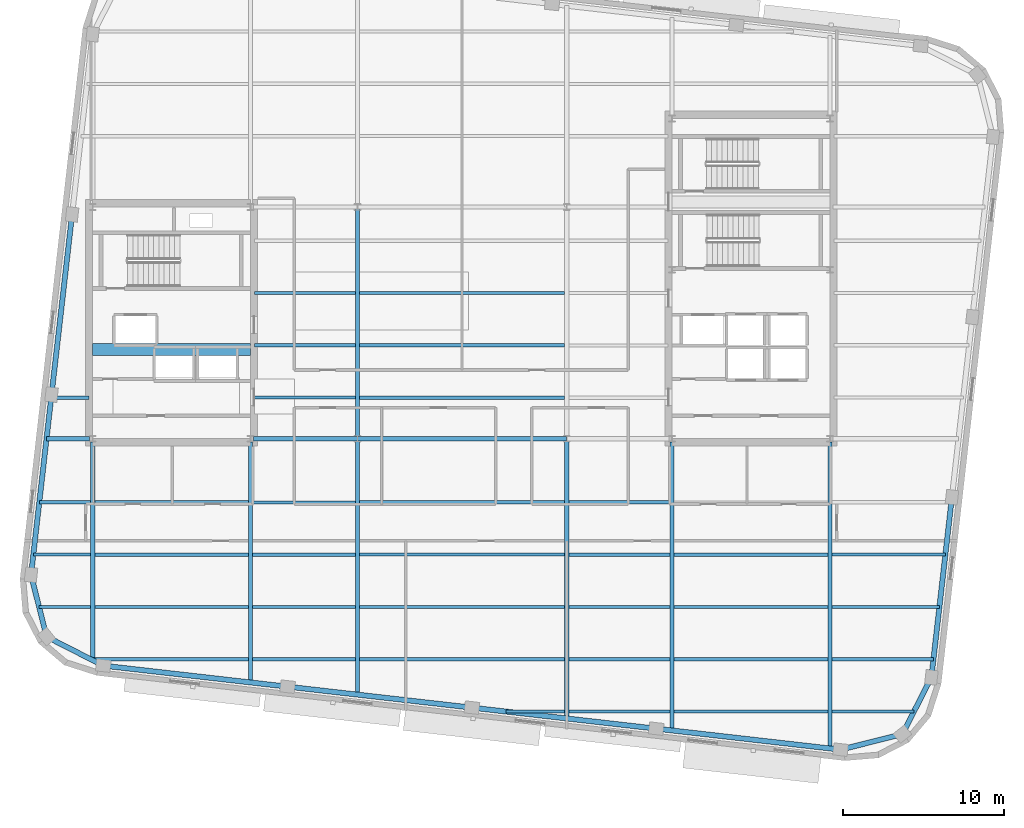
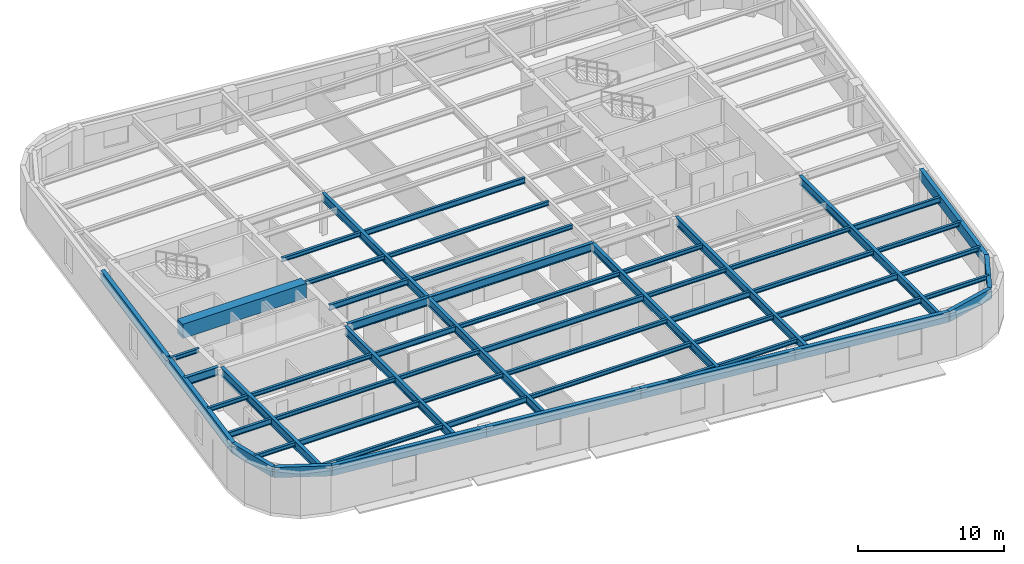
# One storey, part 3 of 13: 58 beams.
"""IFC4 building model written with IfcOpenShell, lengths in metres."""

from ifc_helpers import new_model, si_unit, direction, frame, origin, origin_2d, place, context, subcontext, project, spatial, rectangle, hollow_rectangle, i_section, extrude, material, material_profile, profile_set, type_object, element, save


model = new_model("IFC4")

# Units and contexts
model_context = context("Model", 3, precision=1e-05, world=origin(), true_north=direction((0.0, 1.0)))
body_context = subcontext(model_context, "Body", "Model", "MODEL_VIEW")
ifc_project = project(units=[si_unit("LENGTHUNIT", "METRE"), si_unit("AREAUNIT", "SQUARE_METRE"), si_unit("VOLUMEUNIT", "CUBIC_METRE"), si_unit("PLANEANGLEUNIT", "RADIAN"), si_unit("MASSUNIT", "GRAM", prefix="KILO")], contexts=[model_context])

# Site, building, storey
site_placement = place(None, origin())
site = spatial("IfcSite", under=ifc_project, at=site_placement, CompositionType="ELEMENT")
building_placement = place(site_placement, origin())
building = spatial("IfcBuilding", under=site, at=building_placement, Name="Kolvaren Arena Tower", CompositionType="ELEMENT")
storey_placement = place(building_placement, frame((0.0, 0.0, 262.199951171875)))
storey = spatial("IfcBuildingStorey", under=building, at=storey_placement, Name="L64", CompositionType="ELEMENT", Elevation=262.199951171875)

# Beams
ifc_material_1 = material(Name="Steel CSA G40.21 350W", Category="steel")
ifc_material_profile_1 = material_profile(ifc_material_1, i_section(OverallWidth=0.193115234375, OverallDepth=0.462890625, WebThickness=0.0107421875, FlangeThickness=0.0205078125, FilletRadius=0.012939453125, at=origin_2d()), Name="W460x113")
ifc_profile_set_1 = profile_set([ifc_material_profile_1], Name="Steel CSA G40.21 350W")
beam_type_1 = type_object("IfcBeamType", Name="BEAM-F2", PredefinedType="BEAM", material=ifc_profile_set_1)
beam_1_placement = place(storey_placement, frame((50.677490234375, 2.5, 3.24853515625), z_axis=(1.0, 0.0, 0.0), x_axis=(0.0, 1.0, 0.0)))
element("IfcBeam", 1, at=beam_1_placement, inside=storey, type_object=beam_type_1, Name="Composite Floor Beam (L64)", PredefinedType="BEAM", context=body_context, shape_type="SweptSolid", body=[
    extrude(i_section(OverallWidth=0.193115234375, OverallDepth=0.462890625, WebThickness=0.0107421875, FlangeThickness=0.0205078125, FilletRadius=0.012939453125, at=origin_2d()), origin(), (0.0, 0.0, 1.0), 9.544921875),
])
beam_2_placement = place(storey_placement, frame((24.4775390625, 5.75, 3.24853515625), z_axis=(1.0, 0.0, 0.0), x_axis=(0.0, 1.0, 0.0)))
element("IfcBeam", 2, at=beam_2_placement, inside=storey, type_object=beam_type_1, Name="Composite Floor Beam (L64)", PredefinedType="BEAM", context=body_context, shape_type="SweptSolid", body=[
    extrude(i_section(OverallWidth=0.193115234375, OverallDepth=0.462890625, WebThickness=0.0107421875, FlangeThickness=0.0205078125, FilletRadius=0.012939453125, at=origin_2d()), origin(), (0.0, 0.0, 1.0), 6.39501953125),
])
for number, where, z_axis, x_axis, name in (
    (3, (50.677490234375, 5.75, 3.24853515625), (1.0, 0.0, 0.0), (0.0, 1.0, 0.0), "Composite Floor Beam (L64)"),
    (4, (14.677490234375, 9.0, 3.24853515625), (1.0, 0.0, 0.0), (0.0, 1.0, 0.0), "Composite Floor Beam (L64)"),
):
    element("IfcBeam", number, at=place(storey_placement, frame(where, z_axis=z_axis, x_axis=x_axis)), inside=storey, type_object=beam_type_1, Name=name, PredefinedType="BEAM", context=body_context, shape_type="SweptSolid", body=[
        extrude(i_section(OverallWidth=0.193115234375, OverallDepth=0.462890625, WebThickness=0.0107421875, FlangeThickness=0.0205078125, FilletRadius=0.012939453125, at=origin_2d()), origin(), (0.0, 0.0, 1.0), 9.544921875),
    ])
beam_3_placement = place(storey_placement, frame((44.12744140625, 9.0, 3.24853515625), z_axis=(1.0, 0.0, 0.0), x_axis=(0.0, 1.0, 0.0)))
element("IfcBeam", 5, at=beam_3_placement, inside=storey, type_object=beam_type_1, Name="Composite Floor Beam (L64)", PredefinedType="BEAM", context=body_context, shape_type="SweptSolid", body=[
    extrude(i_section(OverallWidth=0.193115234375, OverallDepth=0.462890625, WebThickness=0.0107421875, FlangeThickness=0.0205078125, FilletRadius=0.012939453125, at=origin_2d()), origin(), (0.0, 0.0, 1.0), 6.295166015625),
])
beam_4_placement = place(storey_placement, frame((10.86083984375, 12.25, 3.24853515625), z_axis=(1.0, 0.0, 0.0), x_axis=(0.0, 1.0, 0.0)))
element("IfcBeam", 6, at=beam_4_placement, inside=storey, type_object=beam_type_1, Name="Composite Floor Beam (L64)", PredefinedType="BEAM", context=body_context, shape_type="SweptSolid", body=[
    extrude(i_section(OverallWidth=0.193115234375, OverallDepth=0.462890625, WebThickness=0.0107421875, FlangeThickness=0.0205078125, FilletRadius=0.012939453125, at=origin_2d()), origin(), (0.0, 0.0, 1.0), 3.561767578125),
])
beam_5_placement = place(storey_placement, frame((31.12744140625, 12.25, 3.24853515625), z_axis=(1.0, 0.0, 0.0), x_axis=(0.0, 1.0, 0.0)))
element("IfcBeam", 7, at=beam_5_placement, inside=storey, type_object=beam_type_1, Name="Composite Floor Beam (L64)", PredefinedType="BEAM", context=body_context, shape_type="SweptSolid", body=[
    extrude(i_section(OverallWidth=0.193115234375, OverallDepth=0.462890625, WebThickness=0.0107421875, FlangeThickness=0.0205078125, FilletRadius=0.012939453125, at=origin_2d()), origin(), (0.0, 0.0, 1.0), 12.7451171875),
])
beam_6_placement = place(storey_placement, frame((60.4775390625, 12.25, 3.24853515625), z_axis=(1.0, 0.0, 0.0), x_axis=(0.0, 1.0, 0.0)))
element("IfcBeam", 8, at=beam_6_placement, inside=storey, type_object=beam_type_1, Name="Composite Floor Beam (L64)", PredefinedType="BEAM", context=body_context, shape_type="SweptSolid", body=[
    extrude(i_section(OverallWidth=0.193115234375, OverallDepth=0.462890625, WebThickness=0.0107421875, FlangeThickness=0.0205078125, FilletRadius=0.012939453125, at=origin_2d()), origin(), (0.0, 0.0, 1.0), 7.04736328125),
])
beam_7_placement = place(storey_placement, frame((24.4775390625, 15.5, 3.24853515625), z_axis=(1.0, 0.0, 0.0), x_axis=(0.0, 1.0, 0.0)))
element("IfcBeam", 9, at=beam_7_placement, inside=storey, type_object=beam_type_1, Name="Composite Floor Beam (L64)", PredefinedType="BEAM", context=body_context, shape_type="SweptSolid", body=[
    extrude(i_section(OverallWidth=0.193115234375, OverallDepth=0.462890625, WebThickness=0.0107421875, FlangeThickness=0.0205078125, FilletRadius=0.012939453125, at=origin_2d()), origin(), (0.0, 0.0, 1.0), 6.39501953125),
])
beam_8_placement = place(storey_placement, frame((24.594970703125, 22.0, 3.24853515625), z_axis=(1.0, 0.0, 0.0), x_axis=(0.0, 1.0, 0.0)))
element("IfcBeam", 10, at=beam_8_placement, inside=storey, type_object=beam_type_1, Name="Composite Floor Beam (L64)", PredefinedType="BEAM", context=body_context, shape_type="SweptSolid", body=[
    extrude(i_section(OverallWidth=0.193115234375, OverallDepth=0.462890625, WebThickness=0.0107421875, FlangeThickness=0.0205078125, FilletRadius=0.012939453125, at=origin_2d()), origin(), (0.0, 0.0, 1.0), 6.277587890625),
])
beam_9_placement = place(storey_placement, frame((31.12744140625, 28.5, 3.24853515625), z_axis=(1.0, 0.0, 0.0), x_axis=(0.0, 1.0, 0.0)))
element("IfcBeam", 11, at=beam_9_placement, inside=storey, type_object=beam_type_1, Name="Composite Floor Beam (L64)", PredefinedType="BEAM", context=body_context, shape_type="SweptSolid", body=[
    extrude(i_section(OverallWidth=0.193115234375, OverallDepth=0.462890625, WebThickness=0.0107421875, FlangeThickness=0.0205078125, FilletRadius=0.012939453125, at=origin_2d()), origin(), (0.0, 0.0, 1.0), 12.7451171875),
])
ifc_material_2 = material(Name="Concrete 60 MPa", Category="concrete")
ifc_material_profile_2 = material_profile(ifc_material_2, rectangle(XDim=0.75, YDim=1.199951171875, at=origin_2d()), Name="RC-750x1200")
ifc_profile_set_2 = profile_set([ifc_material_profile_2], Name="Concrete 60 MPa")
beam_type_2 = type_object("IfcBeamType", Name="CB-CORE-2", PredefinedType="BEAM", material=ifc_profile_set_2)
beam_10_placement = place(storey_placement, frame((14.550048828125, 25.0, 3.150146484375), z_axis=(1.0, 0.0, 0.0), x_axis=(0.0, 1.0, 0.0)))
element("IfcBeam", 12, at=beam_10_placement, inside=storey, type_object=beam_type_2, Name="West Core Coupling Beam (L64)", PredefinedType="BEAM", context=body_context, shape_type="SweptSolid", body=[
    extrude(rectangle(XDim=0.75, YDim=1.199951171875, at=origin_2d()), origin(), (0.0, 0.0, 1.0), 9.800048828125),
])
ifc_material_profile_3 = material_profile(ifc_material_1, i_section(OverallWidth=0.2548828125, OverallDepth=0.695068359375, WebThickness=0.01708984375, FlangeThickness=0.02978515625, FilletRadius=0.01611328125, at=origin_2d()), Name="W690x217")
ifc_profile_set_3 = profile_set([ifc_material_profile_3], Name="Steel CSA G40.21 350W")
beam_type_3 = type_object("IfcBeamType", Name="GIRD-T2", PredefinedType="BEAM", material=ifc_profile_set_3)
beam_11_placement = place(storey_placement, frame((11.68115234375, 19.449951171875, 3.132568359375), z_axis=(1.0, 0.0, 0.0), x_axis=(0.0, 1.0, 0.0)))
element("IfcBeam", 13, at=beam_11_placement, inside=storey, type_object=beam_type_3, Name="Primary Floor Girder (L64)", PredefinedType="BEAM", context=body_context, shape_type="SweptSolid", body=[
    extrude(i_section(OverallWidth=0.2548828125, OverallDepth=0.695068359375, WebThickness=0.01708984375, FlangeThickness=0.02978515625, FilletRadius=0.01611328125, at=origin_2d()), origin(), (0.0, 0.0, 1.0), 2.663818359375),
])
beam_12_placement = place(storey_placement, frame((24.554931640625, 19.449951171875, 3.132568359375), z_axis=(1.0, 0.0, 0.0), x_axis=(0.0, 1.0, 0.0)))
element("IfcBeam", 14, at=beam_12_placement, inside=storey, type_object=beam_type_3, Name="Primary Floor Girder (L64)", PredefinedType="BEAM", context=body_context, shape_type="SweptSolid", body=[
    extrude(i_section(OverallWidth=0.2548828125, OverallDepth=0.695068359375, WebThickness=0.01708984375, FlangeThickness=0.02978515625, FilletRadius=0.01611328125, at=origin_2d()), origin(), (0.0, 0.0, 1.0), 6.445068359375),
])
beam_13_placement = place(storey_placement, frame((31.0, 19.449951171875, 3.132568359375), z_axis=(1.0, 0.0, 0.0), x_axis=(0.0, 1.0, 0.0)))
element("IfcBeam", 15, at=beam_13_placement, inside=storey, type_object=beam_type_3, Name="Primary Floor Girder (L64)", PredefinedType="BEAM", context=body_context, shape_type="SweptSolid", body=[
    extrude(i_section(OverallWidth=0.2548828125, OverallDepth=0.695068359375, WebThickness=0.01708984375, FlangeThickness=0.02978515625, FilletRadius=0.01611328125, at=origin_2d()), origin(), (0.0, 0.0, 1.0), 13.0),
])
beam_14_placement = place(storey_placement, frame((14.550048828125, 5.686767578125, 3.132568359375), z_axis=(0.0, 1.0, 0.0), x_axis=(-1.0, 0.0, 0.0)))
element("IfcBeam", 16, at=beam_14_placement, inside=storey, type_object=beam_type_3, Name="Primary Floor Girder (L64)", PredefinedType="BEAM", context=body_context, shape_type="SweptSolid", body=[
    extrude(i_section(OverallWidth=0.2548828125, OverallDepth=0.695068359375, WebThickness=0.01708984375, FlangeThickness=0.02978515625, FilletRadius=0.01611328125, at=origin_2d()), origin(), (0.0, 0.0, 1.0), 13.558349609375),
])
beam_15_placement = place(storey_placement, frame((24.35009765625, 4.30908203125, 3.132568359375), z_axis=(0.0, 1.0, 0.0), x_axis=(-1.0, 0.0, 0.0)))
element("IfcBeam", 17, at=beam_15_placement, inside=storey, type_object=beam_type_3, Name="Primary Floor Girder (L64)", PredefinedType="BEAM", context=body_context, shape_type="SweptSolid", body=[
    extrude(i_section(OverallWidth=0.2548828125, OverallDepth=0.695068359375, WebThickness=0.01708984375, FlangeThickness=0.02978515625, FilletRadius=0.01611328125, at=origin_2d()), origin(), (0.0, 0.0, 1.0), 14.93603515625),
])
beam_16_placement = place(storey_placement, frame((31.0, 3.551513671875, 3.132568359375), z_axis=(0.0, 1.0, 0.0), x_axis=(-1.0, 0.0, 0.0)))
element("IfcBeam", 18, at=beam_16_placement, inside=storey, type_object=beam_type_3, Name="Primary Floor Girder (L64)", PredefinedType="BEAM", context=body_context, shape_type="SweptSolid", body=[
    extrude(i_section(OverallWidth=0.2548828125, OverallDepth=0.695068359375, WebThickness=0.01708984375, FlangeThickness=0.02978515625, FilletRadius=0.01611328125, at=origin_2d()), origin(), (0.0, 0.0, 1.0), 15.8984375),
])
beam_17_placement = place(storey_placement, frame((31.0, 19.449951171875, 3.132568359375), z_axis=(0.0, 1.0, 0.0), x_axis=(-1.0, 0.0, 0.0)))
element("IfcBeam", 19, at=beam_17_placement, inside=storey, type_object=beam_type_3, Name="Primary Floor Girder (L64)", PredefinedType="BEAM", context=body_context, shape_type="SweptSolid", body=[
    extrude(i_section(OverallWidth=0.2548828125, OverallDepth=0.695068359375, WebThickness=0.01708984375, FlangeThickness=0.02978515625, FilletRadius=0.01611328125, at=origin_2d()), origin(), (0.0, 0.0, 1.0), 14.400146484375),
])
beam_18_placement = place(storey_placement, frame((44.0, 2.0703125, 3.132568359375), z_axis=(0.0, 1.0, 0.0), x_axis=(-1.0, 0.0, 0.0)))
element("IfcBeam", 20, at=beam_18_placement, inside=storey, type_object=beam_type_3, Name="Primary Floor Girder (L64)", PredefinedType="BEAM", context=body_context, shape_type="SweptSolid", body=[
    extrude(i_section(OverallWidth=0.2548828125, OverallDepth=0.695068359375, WebThickness=0.01708984375, FlangeThickness=0.02978515625, FilletRadius=0.01611328125, at=origin_2d()), origin(), (0.0, 0.0, 1.0), 17.379638671875),
])
beam_19_placement = place(storey_placement, frame((50.550048828125, 1.323974609375, 3.132568359375), z_axis=(0.0, 1.0, 0.0), x_axis=(-1.0, 0.0, 0.0)))
element("IfcBeam", 21, at=beam_19_placement, inside=storey, type_object=beam_type_3, Name="Primary Floor Girder (L64)", PredefinedType="BEAM", context=body_context, shape_type="SweptSolid", body=[
    extrude(i_section(OverallWidth=0.2548828125, OverallDepth=0.695068359375, WebThickness=0.01708984375, FlangeThickness=0.02978515625, FilletRadius=0.01611328125, at=origin_2d()), origin(), (0.0, 0.0, 1.0), 17.921142578125),
])
beam_20_placement = place(storey_placement, frame((60.35009765625, 0.20751953125, 3.132568359375), z_axis=(0.0, 1.0, 0.0), x_axis=(-1.0, 0.0, 0.0)))
element("IfcBeam", 22, at=beam_20_placement, inside=storey, type_object=beam_type_3, Name="Primary Floor Girder (L64)", PredefinedType="BEAM", context=body_context, shape_type="SweptSolid", body=[
    extrude(i_section(OverallWidth=0.2548828125, OverallDepth=0.695068359375, WebThickness=0.01708984375, FlangeThickness=0.02978515625, FilletRadius=0.01611328125, at=origin_2d()), origin(), (0.0, 0.0, 1.0), 19.03759765625),
])
ifc_material_profile_4 = material_profile(ifc_material_1, i_section(OverallWidth=0.202880859375, OverallDepth=0.346923828125, WebThickness=0.0078125, FlangeThickness=0.013427734375, FilletRadius=0.010986328125, at=origin_2d()), Name="W360x64")
ifc_profile_set_4 = profile_set([ifc_material_profile_4], Name="Steel CSA G40.21 350W")
beam_type_4 = type_object("IfcBeamType", Name="JOIST-01", PredefinedType="JOIST", material=ifc_profile_set_4)
beam_21_placement = place(storey_placement, frame((40.228271484375, 2.5, 3.306640625), z_axis=(1.0, 0.0, 0.0), x_axis=(0.0, 1.0, 0.0)))
element("IfcBeam", 23, at=beam_21_placement, inside=storey, type_object=beam_type_4, Name="Composite Floor Joist (L64)", PredefinedType="JOIST", context=body_context, shape_type="SweptSolid", body=[
    extrude(i_section(OverallWidth=0.202880859375, OverallDepth=0.346923828125, WebThickness=0.0078125, FlangeThickness=0.013427734375, FilletRadius=0.010986328125, at=origin_2d()), origin(), (0.0, 0.0, 1.0), 3.644287109375),
])
beam_22_placement = place(storey_placement, frame((44.12744140625, 2.5, 3.306640625), z_axis=(1.0, 0.0, 0.0), x_axis=(0.0, 1.0, 0.0)))
element("IfcBeam", 24, at=beam_22_placement, inside=storey, type_object=beam_type_4, Name="Composite Floor Joist (L64)", PredefinedType="JOIST", context=body_context, shape_type="SweptSolid", body=[
    extrude(i_section(OverallWidth=0.202880859375, OverallDepth=0.346923828125, WebThickness=0.0078125, FlangeThickness=0.013427734375, FilletRadius=0.010986328125, at=origin_2d()), origin(), (0.0, 0.0, 1.0), 6.295166015625),
])
beam_23_placement = place(storey_placement, frame((60.4775390625, 2.5, 3.306640625), z_axis=(1.0, 0.0, 0.0), x_axis=(0.0, 1.0, 0.0)))
element("IfcBeam", 25, at=beam_23_placement, inside=storey, type_object=beam_type_4, Name="Composite Floor Joist (L64)", PredefinedType="JOIST", context=body_context, shape_type="SweptSolid", body=[
    extrude(i_section(OverallWidth=0.202880859375, OverallDepth=0.346923828125, WebThickness=0.0078125, FlangeThickness=0.013427734375, FilletRadius=0.010986328125, at=origin_2d()), origin(), (0.0, 0.0, 1.0), 5.09423828125),
])
beam_24_placement = place(storey_placement, frame((14.42626953125, 5.75, 3.306640625), z_axis=(1.0, 0.0, 0.0), x_axis=(0.0, 1.0, 0.0)))
element("IfcBeam", 26, at=beam_24_placement, inside=storey, type_object=beam_type_4, Name="Composite Floor Joist (L64)", PredefinedType="JOIST", context=body_context, shape_type="SweptSolid", body=[
    extrude(i_section(OverallWidth=0.202880859375, OverallDepth=0.346923828125, WebThickness=0.0078125, FlangeThickness=0.013427734375, FilletRadius=0.010986328125, at=origin_2d()), origin(), (0.0, 0.0, 1.0), 9.796142578125),
])
beam_25_placement = place(storey_placement, frame((31.12744140625, 5.75, 3.306640625), z_axis=(1.0, 0.0, 0.0), x_axis=(0.0, 1.0, 0.0)))
element("IfcBeam", 27, at=beam_25_placement, inside=storey, type_object=beam_type_4, Name="Composite Floor Joist (L64)", PredefinedType="JOIST", context=body_context, shape_type="SweptSolid", body=[
    extrude(i_section(OverallWidth=0.202880859375, OverallDepth=0.346923828125, WebThickness=0.0078125, FlangeThickness=0.013427734375, FilletRadius=0.010986328125, at=origin_2d()), origin(), (0.0, 0.0, 1.0), 12.7451171875),
])
beam_26_placement = place(storey_placement, frame((44.12744140625, 5.75, 3.306640625), z_axis=(1.0, 0.0, 0.0), x_axis=(0.0, 1.0, 0.0)))
element("IfcBeam", 28, at=beam_26_placement, inside=storey, type_object=beam_type_4, Name="Composite Floor Joist (L64)", PredefinedType="JOIST", context=body_context, shape_type="SweptSolid", body=[
    extrude(i_section(OverallWidth=0.202880859375, OverallDepth=0.346923828125, WebThickness=0.0078125, FlangeThickness=0.013427734375, FilletRadius=0.010986328125, at=origin_2d()), origin(), (0.0, 0.0, 1.0), 6.295166015625),
])
beam_27_placement = place(storey_placement, frame((60.4775390625, 5.75, 3.306640625), z_axis=(1.0, 0.0, 0.0), x_axis=(0.0, 1.0, 0.0)))
element("IfcBeam", 29, at=beam_27_placement, inside=storey, type_object=beam_type_4, Name="Composite Floor Joist (L64)", PredefinedType="JOIST", context=body_context, shape_type="SweptSolid", body=[
    extrude(i_section(OverallWidth=0.202880859375, OverallDepth=0.346923828125, WebThickness=0.0078125, FlangeThickness=0.013427734375, FilletRadius=0.010986328125, at=origin_2d()), origin(), (0.0, 0.0, 1.0), 6.306884765625),
])
beam_28_placement = place(storey_placement, frame((11.217529296875, 9.0, 3.306640625), z_axis=(1.0, 0.0, 0.0), x_axis=(0.0, 1.0, 0.0)))
element("IfcBeam", 30, at=beam_28_placement, inside=storey, type_object=beam_type_4, Name="Composite Floor Joist (L64)", PredefinedType="JOIST", context=body_context, shape_type="SweptSolid", body=[
    extrude(i_section(OverallWidth=0.202880859375, OverallDepth=0.346923828125, WebThickness=0.0078125, FlangeThickness=0.013427734375, FilletRadius=0.010986328125, at=origin_2d()), origin(), (0.0, 0.0, 1.0), 3.205078125),
])
beam_29_placement = place(storey_placement, frame((24.4775390625, 9.0, 3.306640625), z_axis=(1.0, 0.0, 0.0), x_axis=(0.0, 1.0, 0.0)))
element("IfcBeam", 31, at=beam_29_placement, inside=storey, type_object=beam_type_4, Name="Composite Floor Joist (L64)", PredefinedType="JOIST", context=body_context, shape_type="SweptSolid", body=[
    extrude(i_section(OverallWidth=0.202880859375, OverallDepth=0.346923828125, WebThickness=0.0078125, FlangeThickness=0.013427734375, FilletRadius=0.010986328125, at=origin_2d()), origin(), (0.0, 0.0, 1.0), 6.39501953125),
])
beam_30_placement = place(storey_placement, frame((31.12744140625, 9.0, 3.306640625), z_axis=(1.0, 0.0, 0.0), x_axis=(0.0, 1.0, 0.0)))
element("IfcBeam", 32, at=beam_30_placement, inside=storey, type_object=beam_type_4, Name="Composite Floor Joist (L64)", PredefinedType="JOIST", context=body_context, shape_type="SweptSolid", body=[
    extrude(i_section(OverallWidth=0.202880859375, OverallDepth=0.346923828125, WebThickness=0.0078125, FlangeThickness=0.013427734375, FilletRadius=0.010986328125, at=origin_2d()), origin(), (0.0, 0.0, 1.0), 12.7451171875),
])
beam_31_placement = place(storey_placement, frame((50.677490234375, 9.0, 3.306640625), z_axis=(1.0, 0.0, 0.0), x_axis=(0.0, 1.0, 0.0)))
element("IfcBeam", 33, at=beam_31_placement, inside=storey, type_object=beam_type_4, Name="Composite Floor Joist (L64)", PredefinedType="JOIST", context=body_context, shape_type="SweptSolid", body=[
    extrude(i_section(OverallWidth=0.202880859375, OverallDepth=0.346923828125, WebThickness=0.0078125, FlangeThickness=0.013427734375, FilletRadius=0.010986328125, at=origin_2d()), origin(), (0.0, 0.0, 1.0), 9.544921875),
])
beam_32_placement = place(storey_placement, frame((60.4775390625, 9.0, 3.306640625), z_axis=(1.0, 0.0, 0.0), x_axis=(0.0, 1.0, 0.0)))
element("IfcBeam", 34, at=beam_32_placement, inside=storey, type_object=beam_type_4, Name="Composite Floor Joist (L64)", PredefinedType="JOIST", context=body_context, shape_type="SweptSolid", body=[
    extrude(i_section(OverallWidth=0.202880859375, OverallDepth=0.346923828125, WebThickness=0.0078125, FlangeThickness=0.013427734375, FilletRadius=0.010986328125, at=origin_2d()), origin(), (0.0, 0.0, 1.0), 6.67724609375),
])
beam_33_placement = place(storey_placement, frame((14.677490234375, 12.25, 3.306640625), z_axis=(1.0, 0.0, 0.0), x_axis=(0.0, 1.0, 0.0)))
element("IfcBeam", 35, at=beam_33_placement, inside=storey, type_object=beam_type_4, Name="Composite Floor Joist (L64)", PredefinedType="JOIST", context=body_context, shape_type="SweptSolid", body=[
    extrude(i_section(OverallWidth=0.202880859375, OverallDepth=0.346923828125, WebThickness=0.0078125, FlangeThickness=0.013427734375, FilletRadius=0.010986328125, at=origin_2d()), origin(), (0.0, 0.0, 1.0), 9.544921875),
])
beam_34_placement = place(storey_placement, frame((24.4775390625, 12.25, 3.306640625), z_axis=(1.0, 0.0, 0.0), x_axis=(0.0, 1.0, 0.0)))
element("IfcBeam", 36, at=beam_34_placement, inside=storey, type_object=beam_type_4, Name="Composite Floor Joist (L64)", PredefinedType="JOIST", context=body_context, shape_type="SweptSolid", body=[
    extrude(i_section(OverallWidth=0.202880859375, OverallDepth=0.346923828125, WebThickness=0.0078125, FlangeThickness=0.013427734375, FilletRadius=0.010986328125, at=origin_2d()), origin(), (0.0, 0.0, 1.0), 6.39501953125),
])
beam_35_placement = place(storey_placement, frame((44.12744140625, 12.25, 3.306640625), z_axis=(1.0, 0.0, 0.0), x_axis=(0.0, 1.0, 0.0)))
element("IfcBeam", 37, at=beam_35_placement, inside=storey, type_object=beam_type_4, Name="Composite Floor Joist (L64)", PredefinedType="JOIST", context=body_context, shape_type="SweptSolid", body=[
    extrude(i_section(OverallWidth=0.202880859375, OverallDepth=0.346923828125, WebThickness=0.0078125, FlangeThickness=0.013427734375, FilletRadius=0.010986328125, at=origin_2d()), origin(), (0.0, 0.0, 1.0), 6.295166015625),
])
beam_36_placement = place(storey_placement, frame((50.677490234375, 12.25, 3.306640625), z_axis=(1.0, 0.0, 0.0), x_axis=(0.0, 1.0, 0.0)))
element("IfcBeam", 38, at=beam_36_placement, inside=storey, type_object=beam_type_4, Name="Composite Floor Joist (L64)", PredefinedType="JOIST", context=body_context, shape_type="SweptSolid", body=[
    extrude(i_section(OverallWidth=0.202880859375, OverallDepth=0.346923828125, WebThickness=0.0078125, FlangeThickness=0.013427734375, FilletRadius=0.010986328125, at=origin_2d()), origin(), (0.0, 0.0, 1.0), 9.544921875),
])
beam_37_placement = place(storey_placement, frame((11.23095703125, 15.5, 3.306640625), z_axis=(1.0, 0.0, 0.0), x_axis=(0.0, 1.0, 0.0)))
element("IfcBeam", 39, at=beam_37_placement, inside=storey, type_object=beam_type_4, Name="Composite Floor Joist (L64)", PredefinedType="JOIST", context=body_context, shape_type="SweptSolid", body=[
    extrude(i_section(OverallWidth=0.202880859375, OverallDepth=0.346923828125, WebThickness=0.0078125, FlangeThickness=0.013427734375, FilletRadius=0.010986328125, at=origin_2d()), origin(), (0.0, 0.0, 1.0), 3.191650390625),
])
beam_38_placement = place(storey_placement, frame((14.677490234375, 15.5, 3.306640625), z_axis=(1.0, 0.0, 0.0), x_axis=(0.0, 1.0, 0.0)))
element("IfcBeam", 40, at=beam_38_placement, inside=storey, type_object=beam_type_4, Name="Composite Floor Joist (L64)", PredefinedType="JOIST", context=body_context, shape_type="SweptSolid", body=[
    extrude(i_section(OverallWidth=0.202880859375, OverallDepth=0.346923828125, WebThickness=0.0078125, FlangeThickness=0.013427734375, FilletRadius=0.010986328125, at=origin_2d()), origin(), (0.0, 0.0, 1.0), 9.544921875),
])
beam_39_placement = place(storey_placement, frame((31.12744140625, 15.5, 3.306640625), z_axis=(1.0, 0.0, 0.0), x_axis=(0.0, 1.0, 0.0)))
element("IfcBeam", 41, at=beam_39_placement, inside=storey, type_object=beam_type_4, Name="Composite Floor Joist (L64)", PredefinedType="JOIST", context=body_context, shape_type="SweptSolid", body=[
    extrude(i_section(OverallWidth=0.202880859375, OverallDepth=0.346923828125, WebThickness=0.0078125, FlangeThickness=0.013427734375, FilletRadius=0.010986328125, at=origin_2d()), origin(), (0.0, 0.0, 1.0), 12.7451171875),
])
beam_40_placement = place(storey_placement, frame((44.12744140625, 15.5, 3.306640625), z_axis=(1.0, 0.0, 0.0), x_axis=(0.0, 1.0, 0.0)))
element("IfcBeam", 42, at=beam_40_placement, inside=storey, type_object=beam_type_4, Name="Composite Floor Joist (L64)", PredefinedType="JOIST", context=body_context, shape_type="SweptSolid", body=[
    extrude(i_section(OverallWidth=0.202880859375, OverallDepth=0.346923828125, WebThickness=0.0078125, FlangeThickness=0.013427734375, FilletRadius=0.010986328125, at=origin_2d()), origin(), (0.0, 0.0, 1.0), 6.295166015625),
])
beam_41_placement = place(storey_placement, frame((11.9716796875, 22.0, 3.306640625), z_axis=(1.0, 0.0, 0.0), x_axis=(0.0, 1.0, 0.0)))
element("IfcBeam", 43, at=beam_41_placement, inside=storey, type_object=beam_type_4, Name="Composite Floor Joist (L64)", PredefinedType="JOIST", context=body_context, shape_type="SweptSolid", body=[
    extrude(i_section(OverallWidth=0.202880859375, OverallDepth=0.346923828125, WebThickness=0.0078125, FlangeThickness=0.013427734375, FilletRadius=0.010986328125, at=origin_2d()), origin(), (0.0, 0.0, 1.0), 2.333251953125),
])
beam_42_placement = place(storey_placement, frame((31.12744140625, 22.0, 3.306640625), z_axis=(1.0, 0.0, 0.0), x_axis=(0.0, 1.0, 0.0)))
element("IfcBeam", 44, at=beam_42_placement, inside=storey, type_object=beam_type_4, Name="Composite Floor Joist (L64)", PredefinedType="JOIST", context=body_context, shape_type="SweptSolid", body=[
    extrude(i_section(OverallWidth=0.202880859375, OverallDepth=0.346923828125, WebThickness=0.0078125, FlangeThickness=0.013427734375, FilletRadius=0.010986328125, at=origin_2d()), origin(), (0.0, 0.0, 1.0), 12.7451171875),
])
beam_43_placement = place(storey_placement, frame((24.594970703125, 25.25, 3.306640625), z_axis=(1.0, 0.0, 0.0), x_axis=(0.0, 1.0, 0.0)))
element("IfcBeam", 45, at=beam_43_placement, inside=storey, type_object=beam_type_4, Name="Composite Floor Joist (L64)", PredefinedType="JOIST", context=body_context, shape_type="SweptSolid", body=[
    extrude(i_section(OverallWidth=0.202880859375, OverallDepth=0.346923828125, WebThickness=0.0078125, FlangeThickness=0.013427734375, FilletRadius=0.010986328125, at=origin_2d()), origin(), (0.0, 0.0, 1.0), 6.277587890625),
])
beam_44_placement = place(storey_placement, frame((31.12744140625, 25.25, 3.306640625), z_axis=(1.0, 0.0, 0.0), x_axis=(0.0, 1.0, 0.0)))
element("IfcBeam", 46, at=beam_44_placement, inside=storey, type_object=beam_type_4, Name="Composite Floor Joist (L64)", PredefinedType="JOIST", context=body_context, shape_type="SweptSolid", body=[
    extrude(i_section(OverallWidth=0.202880859375, OverallDepth=0.346923828125, WebThickness=0.0078125, FlangeThickness=0.013427734375, FilletRadius=0.010986328125, at=origin_2d()), origin(), (0.0, 0.0, 1.0), 12.7451171875),
])
beam_45_placement = place(storey_placement, frame((24.594970703125, 28.5, 3.306640625), z_axis=(1.0, 0.0, 0.0), x_axis=(0.0, 1.0, 0.0)))
element("IfcBeam", 47, at=beam_45_placement, inside=storey, type_object=beam_type_4, Name="Composite Floor Joist (L64)", PredefinedType="JOIST", context=body_context, shape_type="SweptSolid", body=[
    extrude(i_section(OverallWidth=0.202880859375, OverallDepth=0.346923828125, WebThickness=0.0078125, FlangeThickness=0.013427734375, FilletRadius=0.010986328125, at=origin_2d()), origin(), (0.0, 0.0, 1.0), 6.277587890625),
])
ifc_material_3 = material(Name="Steel CSA G40.21 350WT", Category="steel")
ifc_material_profile_5 = material_profile(ifc_material_3, hollow_rectangle(XDim=0.320068359375, YDim=0.860107421875, WallThickness=0.01806640625, at=origin_2d()), Name="HSS 860x320x18")
ifc_profile_set_5 = profile_set([ifc_material_profile_5], Name="Steel CSA G40.21 350WT")
beam_type_5 = type_object("IfcBeamType", Name="SPAND-02", PredefinedType="SPANDREL", material=ifc_profile_set_5)
for number, where, z_axis, x_axis, name in (
    (48, (15.207763671875, 5.350830078125, 3.050048828125), (0.99357166944, -0.113204848336, 0.0), (0.113204848336, 0.99357166944, 0.0), "Perimeter Spandrel Beam (L64)"),
    (49, (26.65869140625, 4.046142578125, 3.050048828125), (0.99357166944, -0.113204848336, 0.0), (0.113204848336, 0.99357166944, 0.0), "Perimeter Spandrel Beam (L64)"),
):
    element("IfcBeam", number, at=place(storey_placement, frame(where, z_axis=z_axis, x_axis=x_axis)), inside=storey, type_object=beam_type_5, Name=name, PredefinedType="SPANDREL", context=body_context, shape_type="SweptSolid", body=[
        extrude(hollow_rectangle(XDim=0.320068359375, YDim=0.860107421875, WallThickness=0.01806640625, at=origin_2d()), origin(), (0.0, 0.0, 1.0), 11.52490234375),
    ])
beam_46_placement = place(storey_placement, frame((38.109619140625, 2.741455078125, 3.050048828125), z_axis=(0.993571397957, -0.113207231049, 0.0), x_axis=(0.113207231049, 0.993571397957, 0.0)))
element("IfcBeam", 50, at=beam_46_placement, inside=storey, type_object=beam_type_5, Name="Perimeter Spandrel Beam (L64)", PredefinedType="SPANDREL", context=body_context, shape_type="SweptSolid", body=[
    extrude(hollow_rectangle(XDim=0.320068359375, YDim=0.860107421875, WallThickness=0.01806640625, at=origin_2d()), origin(), (0.0, 0.0, 1.0), 11.524658203125),
])
beam_47_placement = place(storey_placement, frame((49.560302734375, 1.436767578125, 3.050048828125), z_axis=(0.993571940905, -0.113202465721, 0.0), x_axis=(0.113202465721, 0.993571940905, 0.0)))
element("IfcBeam", 51, at=beam_47_placement, inside=storey, type_object=beam_type_5, Name="Perimeter Spandrel Beam (L64)", PredefinedType="SPANDREL", context=body_context, shape_type="SweptSolid", body=[
    extrude(hollow_rectangle(XDim=0.320068359375, YDim=0.860107421875, WallThickness=0.01806640625, at=origin_2d()), origin(), (0.0, 0.0, 1.0), 11.525146484375),
])
beam_48_placement = place(storey_placement, frame((61.011474609375, 0.132080078125, 3.050048828125), z_axis=(0.970033632471, 0.242970681103, 0.0), x_axis=(-0.242970681103, 0.970033632471, 0.0)))
element("IfcBeam", 52, at=beam_48_placement, inside=storey, type_object=beam_type_5, Name="Perimeter Spandrel Beam (L64)", PredefinedType="SPANDREL", context=body_context, shape_type="SweptSolid", body=[
    extrude(hollow_rectangle(XDim=0.320068359375, YDim=0.860107421875, WallThickness=0.01806640625, at=origin_2d()), origin(), (0.0, 0.0, 1.0), 3.9609375),
])
beam_49_placement = place(storey_placement, frame((64.853759765625, 1.094482421875, 3.050048828125), z_axis=(0.454962284061, 0.89051070745, 0.0), x_axis=(-0.89051070745, 0.454962284061, 0.0)))
element("IfcBeam", 53, at=beam_49_placement, inside=storey, type_object=beam_type_5, Name="Perimeter Spandrel Beam (L64)", PredefinedType="SPANDREL", context=body_context, shape_type="SweptSolid", body=[
    extrude(hollow_rectangle(XDim=0.320068359375, YDim=0.860107421875, WallThickness=0.01806640625, at=origin_2d()), origin(), (0.0, 0.0, 1.0), 3.96142578125),
])
beam_50_placement = place(storey_placement, frame((66.656005859375, 4.6220703125, 3.050048828125), z_axis=(0.113201896536, 0.993572005755, 0.0), x_axis=(-0.993572005755, 0.113201896536, 0.0)))
element("IfcBeam", 54, at=beam_50_placement, inside=storey, type_object=beam_type_5, Name="Perimeter Spandrel Beam (L64)", PredefinedType="SPANDREL", context=body_context, shape_type="SweptSolid", body=[
    extrude(hollow_rectangle(XDim=0.320068359375, YDim=0.860107421875, WallThickness=0.01806640625, at=origin_2d()), origin(), (0.0, 0.0, 1.0), 11.2666015625),
])
beam_51_placement = place(storey_placement, frame((13.268798828125, 33.3837890625, 3.050048828125), z_axis=(-0.113220850685, -0.993569846045, 0.0), x_axis=(0.993569846045, -0.113220850685, 0.0)))
element("IfcBeam", 55, at=beam_51_placement, inside=storey, type_object=beam_type_5, Name="Perimeter Spandrel Beam (L64)", PredefinedType="SPANDREL", context=body_context, shape_type="SweptSolid", body=[
    extrude(hollow_rectangle(XDim=0.320068359375, YDim=0.860107421875, WallThickness=0.01806640625, at=origin_2d()), origin(), (0.0, 0.0, 1.0), 11.266845703125),
])
beam_52_placement = place(storey_placement, frame((11.9931640625, 22.189453125, 3.050048828125), z_axis=(-0.113201896536, -0.993572005755, 0.0), x_axis=(0.993572005755, -0.113201896536, 0.0)))
element("IfcBeam", 56, at=beam_52_placement, inside=storey, type_object=beam_type_5, Name="Perimeter Spandrel Beam (L64)", PredefinedType="SPANDREL", context=body_context, shape_type="SweptSolid", body=[
    extrude(hollow_rectangle(XDim=0.320068359375, YDim=0.860107421875, WallThickness=0.01806640625, at=origin_2d()), origin(), (0.0, 0.0, 1.0), 11.2666015625),
])
beam_53_placement = place(storey_placement, frame((10.7177734375, 10.995361328125, 3.050048828125), z_axis=(0.243014148252, -0.970022743934, 0.0), x_axis=(0.970022743934, 0.243014148252, 0.0)))
element("IfcBeam", 57, at=beam_53_placement, inside=storey, type_object=beam_type_5, Name="Perimeter Spandrel Beam (L64)", PredefinedType="SPANDREL", context=body_context, shape_type="SweptSolid", body=[
    extrude(hollow_rectangle(XDim=0.320068359375, YDim=0.860107421875, WallThickness=0.01806640625, at=origin_2d()), origin(), (0.0, 0.0, 1.0), 3.961181640625),
])
beam_54_placement = place(storey_placement, frame((11.680419921875, 7.15283203125, 3.050048828125), z_axis=(0.890522920884, -0.454938377564, 0.0), x_axis=(0.454938377564, 0.890522920884, 0.0)))
element("IfcBeam", 58, at=beam_54_placement, inside=storey, type_object=beam_type_5, Name="Perimeter Spandrel Beam (L64)", PredefinedType="SPANDREL", context=body_context, shape_type="SweptSolid", body=[
    extrude(hollow_rectangle(XDim=0.320068359375, YDim=0.860107421875, WallThickness=0.01806640625, at=origin_2d()), origin(), (0.0, 0.0, 1.0), 3.9609375),
])

save(model, "model.ifc")
